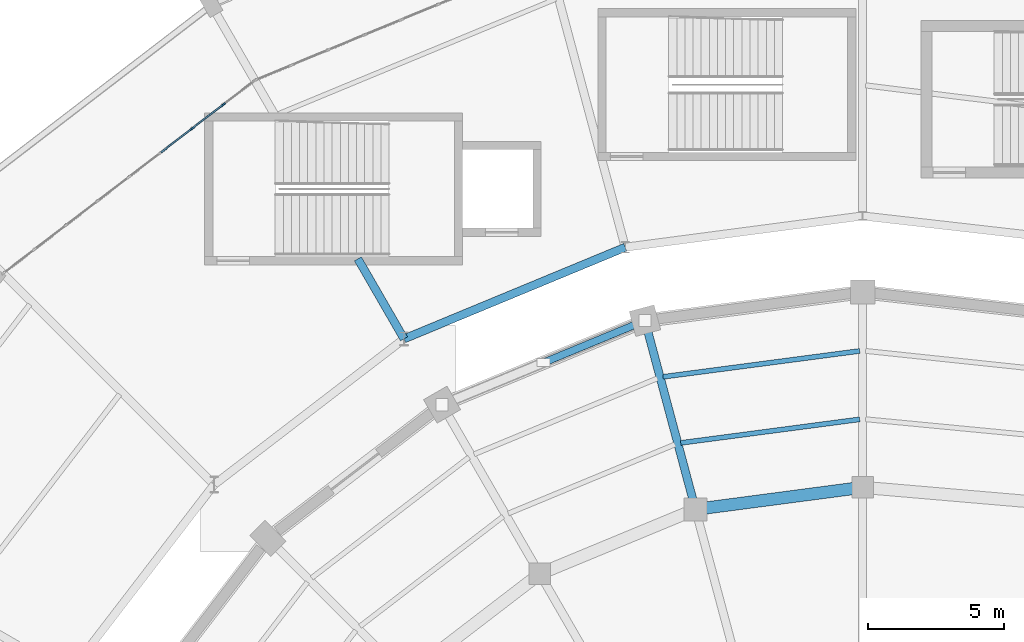
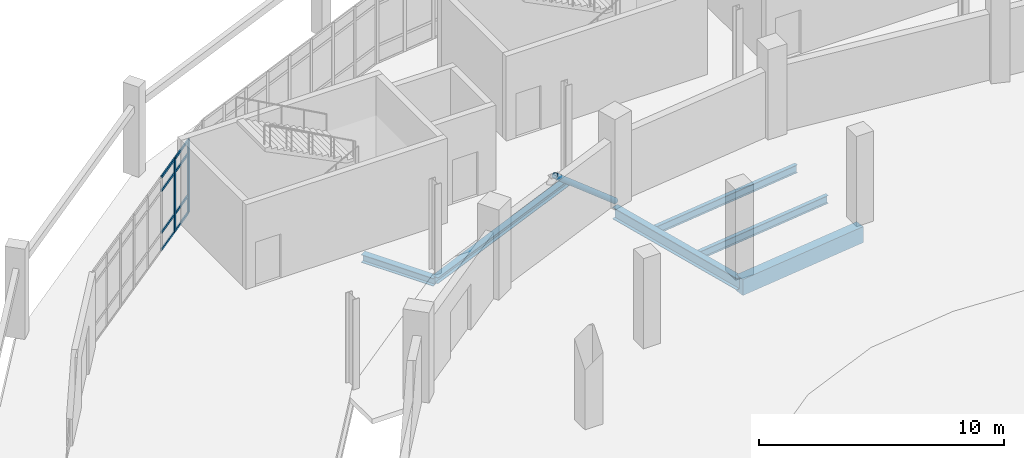
# One storey, part 55 of 122: 11 members, 6 beams, 1 element without a shape of its own.
"""IFC4 building model written with IfcOpenShell, lengths in metres."""

import ifcopenshell
import ifcopenshell.guid

model = None  # the IFC model being written
_history = None  # IfcOwnerHistory: only IFC2X3 demands one
_inside = {}  # id of a spatial element -> (the spatial element, [elements in it])
_under = {}  # id of a project, library or spatial element -> (it, [spatial elements below it])
_declared = {}  # id of a project -> (the project, [libraries it declares])
_typed = {}  # id of a type object -> (the type object, [elements of that type])
_made_of = {}  # id of a material, layer set ... -> (it, [elements and type objects made of it])


def new_model(schema):
    """Start an empty IFC model of exactly this schema.

    Asked for "IFC4X3", IfcOpenShell would pick the latest addendum, in which some entities
    have other attributes; the version numbers below select the first issue.
    IFC2X3 requires an IfcOwnerHistory on every rooted entity: one is made here for all.
    """
    global model, _history
    if schema == "IFC4X3":
        model = ifcopenshell.file(schema_version=(4, 3, 0, 0))
    else:
        model = ifcopenshell.file(schema=schema)
    _inside.clear()
    _under.clear()
    _declared.clear()
    _typed.clear()
    _made_of.clear()
    _history = None
    if model.schema == "IFC2X3":
        org = make("IfcOrganization", Name="unknown")
        user = make(
            "IfcPersonAndOrganization",
            ThePerson=make("IfcPerson", FamilyName="unknown"),
            TheOrganization=org,
        )
        app = make(
            "IfcApplication",
            ApplicationDeveloper=org,
            Version="unknown",
            ApplicationFullName="unknown",
            ApplicationIdentifier="unknown",
        )
        _history = make(
            "IfcOwnerHistory",
            OwningUser=user,
            OwningApplication=app,
            ChangeAction="ADDED",
            CreationDate=0,
        )
    return model


def make(cls, **values):
    """One entity of the class cls with the attributes given. An attribute that is None is left unset."""
    return model.create_entity(
        cls, **{name: value for name, value in values.items() if value is not None}
    )


def rooted(cls, **values):
    """An entity with a GlobalId (a new one), such as an element, a storey or a relation."""
    return make(cls, GlobalId=ifcopenshell.guid.new(), OwnerHistory=_history, **values)


def si_unit(unit_type, name, prefix=None):
    """IfcSIUnit, for example si_unit("LENGTHUNIT", "METRE", prefix="MILLI")."""
    return make("IfcSIUnit", UnitType=unit_type, Prefix=prefix, Name=name)


def assignment(units):
    """IfcUnitAssignment: the units of a project."""
    return None if units is None else make("IfcUnitAssignment", Units=units)


def point(xyz):
    """IfcCartesianPoint."""
    return None if xyz is None else make("IfcCartesianPoint", Coordinates=xyz)


def direction(xyz):
    """IfcDirection."""
    return None if xyz is None else make("IfcDirection", DirectionRatios=xyz)


def frame(location, z_axis=None, x_axis=None):
    """IfcAxis2Placement3D, a coordinate frame: its origin and axes. An axis left out is left unset."""
    return make(
        "IfcAxis2Placement3D",
        Location=point(location),
        Axis=direction(z_axis),
        RefDirection=direction(x_axis),
    )


def frame_2d(location, x_axis=None):
    """IfcAxis2Placement2D, a coordinate frame in the plane: its origin and x axis."""
    return make(
        "IfcAxis2Placement2D", Location=point(location), RefDirection=direction(x_axis)
    )


def origin():
    """The frame at (0, 0, 0) with its axes left unset."""
    return frame((0.0, 0.0, 0.0))


def origin_2d():
    """The frame at (0, 0) in the plane with its x axis left unset."""
    return frame_2d((0.0, 0.0))


def place(relative_to, where):
    """IfcLocalPlacement: puts the frame where relative to a parent placement (None: the world)."""
    return make(
        "IfcLocalPlacement", PlacementRelTo=relative_to, RelativePlacement=where
    )


def context(
    kind, dimensions, precision=None, world=None, true_north=None, identifier=None
):
    """IfcGeometricRepresentationContext, for example the 3D "Model" context."""
    return make(
        "IfcGeometricRepresentationContext",
        ContextIdentifier=identifier,
        ContextType=kind,
        CoordinateSpaceDimension=dimensions,
        Precision=precision,
        WorldCoordinateSystem=world,
        TrueNorth=true_north,
    )


def subcontext(parent, identifier, kind, view, scale=None):
    """IfcGeometricRepresentationSubContext, for example "Body" below "Model"."""
    return make(
        "IfcGeometricRepresentationSubContext",
        ContextIdentifier=identifier,
        ContextType=kind,
        ParentContext=parent,
        TargetScale=scale,
        TargetView=view,
    )


def project(units=None, contexts=None):
    """IfcProject with its units and contexts."""
    return rooted(
        "IfcProject",
        Name="project",
        RepresentationContexts=contexts,
        UnitsInContext=assignment(units),
    )


def spatial(cls, under=None, at=None, **own):
    """A site, building, storey or space (cls), placed at a placement, below another one or the project."""
    s = rooted(cls, ObjectPlacement=at, **own)
    if under is not None:
        _under.setdefault(under.id(), (under, []))[1].append(s)
    return s


def profile(cls, at=None, kind="AREA", **sizes):
    """A parametric profile (cls). Its sizes go by their IFC names, for example OverallWidth=200.0."""
    return make(cls, ProfileType=kind, Position=at, **sizes)


def rectangle(**sizes):
    """IfcRectangleProfileDef."""
    return profile("IfcRectangleProfileDef", **sizes)


def hollow_circle(**sizes):
    """IfcCircleHollowProfileDef."""
    return profile("IfcCircleHollowProfileDef", **sizes)


def i_section(**sizes):
    """IfcIShapeProfileDef."""
    return profile("IfcIShapeProfileDef", **sizes)


def extrude(swept, where, along, depth):
    """IfcExtrudedAreaSolid: the profile swept, set in the frame where, extruded along a direction by depth."""
    return make(
        "IfcExtrudedAreaSolid",
        SweptArea=swept,
        Position=where,
        ExtrudedDirection=direction(along),
        Depth=depth,
    )


def shape(context_of_items, identifier, shape_type, items):
    """IfcShapeRepresentation: the items that make up one representation, for example the "Body"."""
    return make(
        "IfcShapeRepresentation",
        ContextOfItems=context_of_items,
        RepresentationIdentifier=identifier,
        RepresentationType=shape_type,
        Items=items,
    )


def material(Name=None, Category=None):
    """IfcMaterial."""
    return make("IfcMaterial", Name=Name, Category=Category)


def layer(
    of_material, thickness, ventilated=None, Name=None, Category=None, Priority=None
):
    """IfcMaterialLayer: one layer of a wall or slab, of a material (None: an air gap)."""
    return make(
        "IfcMaterialLayer",
        Material=of_material,
        LayerThickness=thickness,
        IsVentilated=ventilated,
        Name=Name,
        Category=Category,
        Priority=Priority,
    )


def layer_set(layers, Name=None):
    """IfcMaterialLayerSet."""
    return make("IfcMaterialLayerSet", MaterialLayers=layers, LayerSetName=Name)


def material_profile(
    of_material, cross_section, Name=None, Category=None, Priority=None
):
    """IfcMaterialProfile: a cross section and its material."""
    return make(
        "IfcMaterialProfile",
        Name=Name,
        Material=of_material,
        Profile=cross_section,
        Priority=Priority,
        Category=Category,
    )


def profile_set(profiles, Name=None, composite=None):
    """IfcMaterialProfileSet."""
    return make(
        "IfcMaterialProfileSet",
        Name=Name,
        MaterialProfiles=profiles,
        CompositeProfile=composite,
    )


def made_of(thing, what):
    """Note that an element or type object is made of a material, layer set ...; save() writes the relation."""
    if what is not None:
        _made_of.setdefault(what.id(), (what, []))[1].append(thing)
    return thing


def type_object(cls, material=None, **own):
    """A type object (cls), such as IfcWallType, which elements share."""
    return made_of(rooted(cls, **own), material)


def element(
    cls,
    number,
    at=None,
    inside=None,
    cuts=None,
    type_object=None,
    material=None,
    context=None,
    identifier="Body",
    shape_type=None,
    held_by="IfcProductDefinitionShape",
    body=None,
    shapes=None,
    **own,
):
    """One element of the class cls, such as IfcWall. Its Tag is "e" and its number.

    at: its placement. inside: the storey or other place that contains it. cuts: it is an
    opening in that element (IfcRelVoidsElement). A single representation is given by context,
    identifier, shape_type and body (its items); several are given by shapes. held_by: the class
    of the entity that holds the representations. save() writes the other relations.
    """
    e = rooted(cls, Tag="e%d" % number, ObjectPlacement=at, **own)
    if body is not None:
        shapes = [shape(context, identifier, shape_type, body)]
    if shapes is not None:
        e.Representation = make(held_by, Representations=shapes)
    if inside is not None:
        _inside.setdefault(inside.id(), (inside, []))[1].append(e)
    if cuts is not None:
        rooted(
            "IfcRelVoidsElement", RelatingBuildingElement=cuts, RelatedOpeningElement=e
        )
    if type_object is not None:
        _typed.setdefault(type_object.id(), (type_object, []))[1].append(e)
    return made_of(e, material)


def aggregate(whole, parts):
    """IfcRelAggregates: a whole, such as a stair, and the parts it consists of."""
    return rooted("IfcRelAggregates", RelatingObject=whole, RelatedObjects=parts)


def save(model, path):
    """Write the relations noted so far, then the file.

    IfcRelAggregates (storeys below a building ...), IfcRelContainedInSpatialStructure (elements
    in a storey), IfcRelDefinesByType, IfcRelAssociatesMaterial and IfcRelDeclares: one each for
    every whole, place, type object, material and project.
    """
    for whole, parts in _under.values():
        aggregate(whole, parts)
    for where, things in _inside.values():
        rooted(
            "IfcRelContainedInSpatialStructure",
            RelatedElements=things,
            RelatingStructure=where,
        )
    for kind, things in _typed.values():
        rooted("IfcRelDefinesByType", RelatedObjects=things, RelatingType=kind)
    for what, things in _made_of.values():
        rooted("IfcRelAssociatesMaterial", RelatedObjects=things, RelatingMaterial=what)
    for by, libraries in _declared.values():
        rooted("IfcRelDeclares", RelatingContext=by, RelatedDefinitions=libraries)
    model.write(path)


model = new_model("IFC4")

# Units and contexts
model_context = context("Model", 3, precision=1e-05, world=origin(), true_north=direction((0.0, 1.0)))
body_context = subcontext(model_context, "Body", "Model", "MODEL_VIEW")
ifc_project = project(units=[si_unit("LENGTHUNIT", "METRE"), si_unit("AREAUNIT", "SQUARE_METRE"), si_unit("VOLUMEUNIT", "CUBIC_METRE"), si_unit("PLANEANGLEUNIT", "RADIAN"), si_unit("MASSUNIT", "GRAM", prefix="KILO")], contexts=[model_context])

# Site, building, storey
site_placement = place(None, origin())
site = spatial("IfcSite", under=ifc_project, at=site_placement, CompositionType="ELEMENT")
building_placement = place(site_placement, origin())
building = spatial("IfcBuilding", under=site, at=building_placement, Name="Sohan Crest Arena", CompositionType="ELEMENT")
storey_placement = place(building_placement, origin())
storey = spatial("IfcBuildingStorey", under=building, at=storey_placement, Name="L00", CompositionType="ELEMENT", Elevation=0.0)

# Curtain wall, members
ifc_material_1 = material(Name="Thermally broken anodised aluminium", Category="aluminium")
ifc_layer = layer(ifc_material_1, 0.179931640625, Name="Thermally broken anodised aluminium")
ifc_layer_set = layer_set([ifc_layer], Name="Thermally broken anodised aluminium")
curtain_wall_type = type_object("IfcCurtainWallType", Name="ARC-CW01", PredefinedType="NOTDEFINED", material=ifc_layer_set)
curtain_wall_placement = place(storey_placement, origin())
curtain_wall = element("IfcCurtainWall", 1, at=curtain_wall_placement, inside=storey, type_object=curtain_wall_type, Name="Unitised curtain wall CW-003", PredefinedType="NOTDEFINED")
ifc_material_profile_1 = material_profile(ifc_material_1, rectangle(XDim=0.06005859375, YDim=0.159912109375, at=origin_2d()), Name="ALU-MULL 60x160")
ifc_profile_set_1 = profile_set([ifc_material_profile_1], Name="Thermally broken anodised aluminium")
member_type_1 = type_object("IfcMemberType", Name="ARC-CW-ML01", PredefinedType="MULLION", material=ifc_profile_set_1)
member_1_placement = place(storey_placement, frame((74.440185546875, 115.907958984375, 0.0), z_axis=(0.0, 0.0, 1.0), x_axis=(0.608801264741, -0.79332277167, 0.0)))
member_1 = element("IfcMember", 2, at=member_1_placement, type_object=member_type_1, Name="CW-003 mullion 2", PredefinedType="MULLION", context=body_context, shape_type="SweptSolid", body=[
    extrude(rectangle(XDim=0.06005859375, YDim=0.159912109375, at=origin_2d()), origin(), (0.0, 0.0, 1.0), 3.679931640625),
])
member_2_placement = place(storey_placement, frame((73.280517578125, 115.01806640625, 0.0), z_axis=(0.0, 0.0, 1.0), x_axis=(0.608801264741, -0.79332277167, 0.0)))
member_2 = element("IfcMember", 3, at=member_2_placement, type_object=member_type_1, Name="CW-003 mullion 3", PredefinedType="MULLION", context=body_context, shape_type="SweptSolid", body=[
    extrude(rectangle(XDim=0.06005859375, YDim=0.159912109375, at=origin_2d()), origin(), (0.0, 0.0, 1.0), 3.679931640625),
])
ifc_material_profile_2 = material_profile(ifc_material_1, rectangle(XDim=0.06005859375, YDim=0.1201171875, at=origin_2d()), Name="ALU-TRAN 60x120")
ifc_profile_set_2 = profile_set([ifc_material_profile_2], Name="Thermally broken anodised aluminium")
member_type_2 = type_object("IfcMemberType", Name="ARC-CW-TR01", PredefinedType="USERDEFINED", material=ifc_profile_set_2)
member_3_placement = place(storey_placement, frame((74.41650390625, 115.8896484375, 0.030029296875), z_axis=(-0.793432543398, -0.608658195605, 0.0), x_axis=(0.608658195605, -0.793432543398, 0.0)))
member_3 = element("IfcMember", 4, at=member_3_placement, type_object=member_type_2, Name="CW-003 transom 2.1", ObjectType="TRANSOM", PredefinedType="USERDEFINED", context=body_context, shape_type="SweptSolid", body=[
    extrude(rectangle(XDim=0.06005859375, YDim=0.1201171875, at=origin_2d()), origin(), (0.0, 0.0, 1.0), 1.40185546875),
])
member_4_placement = place(storey_placement, frame((74.41650390625, 115.8896484375, 0.89990234375), z_axis=(-0.793432543398, -0.608658195605, 0.0), x_axis=(0.608658195605, -0.793432543398, 0.0)))
member_4 = element("IfcMember", 5, at=member_4_placement, type_object=member_type_2, Name="CW-003 transom 2.2", ObjectType="TRANSOM", PredefinedType="USERDEFINED", context=body_context, shape_type="SweptSolid", body=[
    extrude(rectangle(XDim=0.06005859375, YDim=0.1201171875, at=origin_2d()), origin(), (0.0, 0.0, 1.0), 1.40185546875),
])
member_5_placement = place(storey_placement, frame((74.41650390625, 115.8896484375, 2.97998046875), z_axis=(-0.793432543398, -0.608658195605, 0.0), x_axis=(0.608658195605, -0.793432543398, 0.0)))
member_5 = element("IfcMember", 6, at=member_5_placement, type_object=member_type_2, Name="CW-003 transom 2.3", ObjectType="TRANSOM", PredefinedType="USERDEFINED", context=body_context, shape_type="SweptSolid", body=[
    extrude(rectangle(XDim=0.06005859375, YDim=0.1201171875, at=origin_2d()), origin(), (0.0, 0.0, 1.0), 1.40185546875),
])
member_6_placement = place(storey_placement, frame((74.41650390625, 115.8896484375, 3.64990234375), z_axis=(-0.793432543398, -0.608658195605, 0.0), x_axis=(0.608658195605, -0.793432543398, 0.0)))
member_6 = element("IfcMember", 7, at=member_6_placement, type_object=member_type_2, Name="CW-003 transom 2.4", ObjectType="TRANSOM", PredefinedType="USERDEFINED", context=body_context, shape_type="SweptSolid", body=[
    extrude(rectangle(XDim=0.06005859375, YDim=0.1201171875, at=origin_2d()), origin(), (0.0, 0.0, 1.0), 1.40185546875),
])
member_7_placement = place(storey_placement, frame((73.256591796875, 114.999755859375, 0.030029296875), z_axis=(-0.793283895434, -0.608851920623, 0.0), x_axis=(0.608851920623, -0.793283895434, 0.0)))
member_7 = element("IfcMember", 8, at=member_7_placement, type_object=member_type_2, Name="CW-003 transom 3.1", ObjectType="TRANSOM", PredefinedType="USERDEFINED", context=body_context, shape_type="SweptSolid", body=[
    extrude(rectangle(XDim=0.06005859375, YDim=0.1201171875, at=origin_2d()), origin(), (0.0, 0.0, 1.0), 1.40185546875),
])
member_8_placement = place(storey_placement, frame((73.256591796875, 114.999755859375, 0.89990234375), z_axis=(-0.793283895434, -0.608851920623, 0.0), x_axis=(0.608851920623, -0.793283895434, 0.0)))
member_8 = element("IfcMember", 9, at=member_8_placement, type_object=member_type_2, Name="CW-003 transom 3.2", ObjectType="TRANSOM", PredefinedType="USERDEFINED", context=body_context, shape_type="SweptSolid", body=[
    extrude(rectangle(XDim=0.06005859375, YDim=0.1201171875, at=origin_2d()), origin(), (0.0, 0.0, 1.0), 1.40185546875),
])
member_9_placement = place(storey_placement, frame((73.256591796875, 114.999755859375, 2.97998046875), z_axis=(-0.793283895434, -0.608851920623, 0.0), x_axis=(0.608851920623, -0.793283895434, 0.0)))
member_9 = element("IfcMember", 10, at=member_9_placement, type_object=member_type_2, Name="CW-003 transom 3.3", ObjectType="TRANSOM", PredefinedType="USERDEFINED", context=body_context, shape_type="SweptSolid", body=[
    extrude(rectangle(XDim=0.06005859375, YDim=0.1201171875, at=origin_2d()), origin(), (0.0, 0.0, 1.0), 1.40185546875),
])
member_10_placement = place(storey_placement, frame((73.256591796875, 114.999755859375, 3.64990234375), z_axis=(-0.793283895434, -0.608851920623, 0.0), x_axis=(0.608851920623, -0.793283895434, 0.0)))
member_10 = element("IfcMember", 11, at=member_10_placement, type_object=member_type_2, Name="CW-003 transom 3.4", ObjectType="TRANSOM", PredefinedType="USERDEFINED", context=body_context, shape_type="SweptSolid", body=[
    extrude(rectangle(XDim=0.06005859375, YDim=0.1201171875, at=origin_2d()), origin(), (0.0, 0.0, 1.0), 1.40185546875),
])
aggregate(curtain_wall, [member_1, member_2, member_3, member_4, member_5, member_6, member_7, member_8, member_9, member_10])

# Beams
ifc_material_2 = material(Name="Steel S355", Category="steel")
ifc_material_profile_3 = material_profile(ifc_material_2, i_section(OverallWidth=0.179931640625, OverallDepth=0.39990234375, WebThickness=0.008544921875, FlangeThickness=0.013427734375, at=origin_2d()), Name="IPE 400")
ifc_profile_set_3 = profile_set([ifc_material_profile_3], Name="Steel S355")
beam_type_1 = type_object("IfcBeamType", Name="STR-BM-B03", PredefinedType="JOIST", material=ifc_profile_set_3)
beam_1_placement = place(storey_placement, frame((97.89111328125, 104.305908203125, -0.449951171875), z_axis=(-0.99142966471, -0.130641570465, 0.0), x_axis=(0.130641570465, -0.99142966471, 0.0)))
element("IfcBeam", 12, at=beam_1_placement, inside=storey, type_object=beam_type_1, Name="Structural beam J-L00-0062", PredefinedType="JOIST", context=body_context, shape_type="SweptSolid", body=[
    extrude(i_section(OverallWidth=0.179931640625, OverallDepth=0.39990234375, WebThickness=0.008544921875, FlangeThickness=0.013427734375, at=origin_2d()), origin(), (0.0, 0.0, 1.0), 6.65087890625),
])
beam_2_placement = place(storey_placement, frame((97.89111328125, 106.825927734375, -0.449951171875), z_axis=(-0.991446789819, -0.13051154339, 0.0), x_axis=(0.13051154339, -0.991446789819, 0.0)))
element("IfcBeam", 13, at=beam_2_placement, inside=storey, type_object=beam_type_1, Name="Structural beam J-L00-0063", PredefinedType="JOIST", context=body_context, shape_type="SweptSolid", body=[
    extrude(i_section(OverallWidth=0.179931640625, OverallDepth=0.39990234375, WebThickness=0.008544921875, FlangeThickness=0.013427734375, at=origin_2d()), origin(), (0.0, 0.0, 1.0), 7.30859375),
])
ifc_material_profile_4 = material_profile(ifc_material_2, i_section(OverallWidth=0.300048828125, OverallDepth=0.590087890625, WebThickness=0.012939453125, FlangeThickness=0.02490234375, at=origin_2d()), Name="HEA 600")
ifc_profile_set_4 = profile_set([ifc_material_profile_4], Name="Steel S355")
beam_type_2 = type_object("IfcBeamType", Name="STR-BM-B11", PredefinedType="BEAM", material=ifc_profile_set_4)
beam_3_placement = place(storey_placement, frame((91.840087890625, 100.989013671875, -0.544921875), z_axis=(-0.258745124417, 0.965945630245, 0.0), x_axis=(-0.965945630245, -0.258745124417, 0.0)))
element("IfcBeam", 14, at=beam_3_placement, inside=storey, type_object=beam_type_2, Name="Structural beam G-L00-0083", PredefinedType="BEAM", context=body_context, shape_type="SweptSolid", body=[
    extrude(i_section(OverallWidth=0.300048828125, OverallDepth=0.590087890625, WebThickness=0.012939453125, FlangeThickness=0.02490234375, at=origin_2d()), origin(), (0.0, 0.0, 1.0), 7.2001953125),
])
ifc_material_profile_5 = material_profile(ifc_material_2, i_section(OverallWidth=0.300048828125, OverallDepth=0.300048828125, WebThickness=0.010986328125, FlangeThickness=0.01904296875, at=origin_2d()), Name="HEB 300")
ifc_profile_set_5 = profile_set([ifc_material_profile_5], Name="Steel S355")
beam_type_3 = type_object("IfcBeamType", Name="STR-BM-B12", PredefinedType="BEAM", material=ifc_profile_set_5)
beam_4_placement = place(storey_placement, frame((89.251953125, 110.64794921875, -0.425048828125), z_axis=(-0.923904876385, -0.38262224111, 0.0), x_axis=(0.38262224111, -0.923904876385, 0.0)))
element("IfcBeam", 15, at=beam_4_placement, inside=storey, type_object=beam_type_3, Name="Structural beam G-L00-0907", PredefinedType="BEAM", context=body_context, shape_type="SweptSolid", body=[
    extrude(i_section(OverallWidth=0.300048828125, OverallDepth=0.300048828125, WebThickness=0.010986328125, FlangeThickness=0.01904296875, at=origin_2d()), origin(), (0.0, 0.0, 1.0), 8.8232421875),
])
ifc_material_profile_6 = material_profile(ifc_material_2, i_section(OverallWidth=0.300048828125, OverallDepth=0.39990234375, WebThickness=0.013427734375, FlangeThickness=0.02392578125, at=origin_2d()), Name="HEB 400")
ifc_profile_set_6 = profile_set([ifc_material_profile_6], Name="Steel S355")
beam_type_4 = type_object("IfcBeamType", Name="STR-BM-B13", PredefinedType="BEAM", material=ifc_profile_set_6)
beam_5_placement = place(storey_placement, frame((81.10009765625, 107.27197265625, -0.47509765625), z_axis=(-0.500026652407, 0.866010015463, 0.0), x_axis=(-0.866010015463, -0.500026652407, 0.0)))
element("IfcBeam", 16, at=beam_5_placement, inside=storey, type_object=beam_type_4, Name="Structural beam G-L00-0911", PredefinedType="BEAM", context=body_context, shape_type="SweptSolid", body=[
    extrude(i_section(OverallWidth=0.300048828125, OverallDepth=0.39990234375, WebThickness=0.013427734375, FlangeThickness=0.02392578125, at=origin_2d()), origin(), (0.0, 0.0, 1.0), 3.404052734375),
])
ifc_material_3 = material(Name="Concrete C40/50", Category="concrete")
ifc_material_profile_7 = material_profile(ifc_material_3, rectangle(XDim=0.449951171875, YDim=0.800048828125, at=origin_2d()), Name="RC-BM 450x800")
ifc_profile_set_7 = profile_set([ifc_material_profile_7], Name="Concrete C40/50")
beam_type_5 = type_object("IfcBeamType", Name="STR-BM-TB02", PredefinedType="BEAM", material=ifc_profile_set_7)
beam_6_placement = place(storey_placement, frame((98.0, 101.800048828125, -0.64990234375), z_axis=(-0.991443458676, -0.130536846329, 0.0), x_axis=(0.130536846329, -0.991443458676, 0.0)))
element("IfcBeam", 17, at=beam_6_placement, inside=storey, type_object=beam_type_5, Name="Structural beam TB-L00-0059", PredefinedType="BEAM", context=body_context, shape_type="SweptSolid", body=[
    extrude(rectangle(XDim=0.449951171875, YDim=0.800048828125, at=origin_2d()), origin(), (0.0, 0.0, 1.0), 6.213134765625),
])

# Member
ifc_material_profile_8 = material_profile(ifc_material_2, hollow_circle(Radius=0.136474609375, WallThickness=0.012451171875, at=origin_2d()), Name="CHS 273x12.5")
ifc_profile_set_8 = profile_set([ifc_material_profile_8], Name="Steel S355")
member_type_3 = type_object("IfcMemberType", Name="STR-MEM-BR02", PredefinedType="BRACE", material=ifc_profile_set_8)
member_11_placement = place(storey_placement, frame((89.97705078125, 107.944091796875, 0.0), z_axis=(-0.698697959822, -0.289545983611, 0.654205078179), x_axis=(0.38283670055, -0.923816031855, 0.0)))
element("IfcMember", 18, at=member_11_placement, inside=storey, type_object=member_type_3, Name="Concentric lateral chevron brace BR-001", PredefinedType="BRACE", context=body_context, shape_type="SweptSolid", body=[
    extrude(hollow_circle(Radius=0.136474609375, WallThickness=0.012451171875, at=origin_2d()), origin(), (0.0, 0.0, 1.0), 5.35009765625),
])

save(model, "model.ifc")
